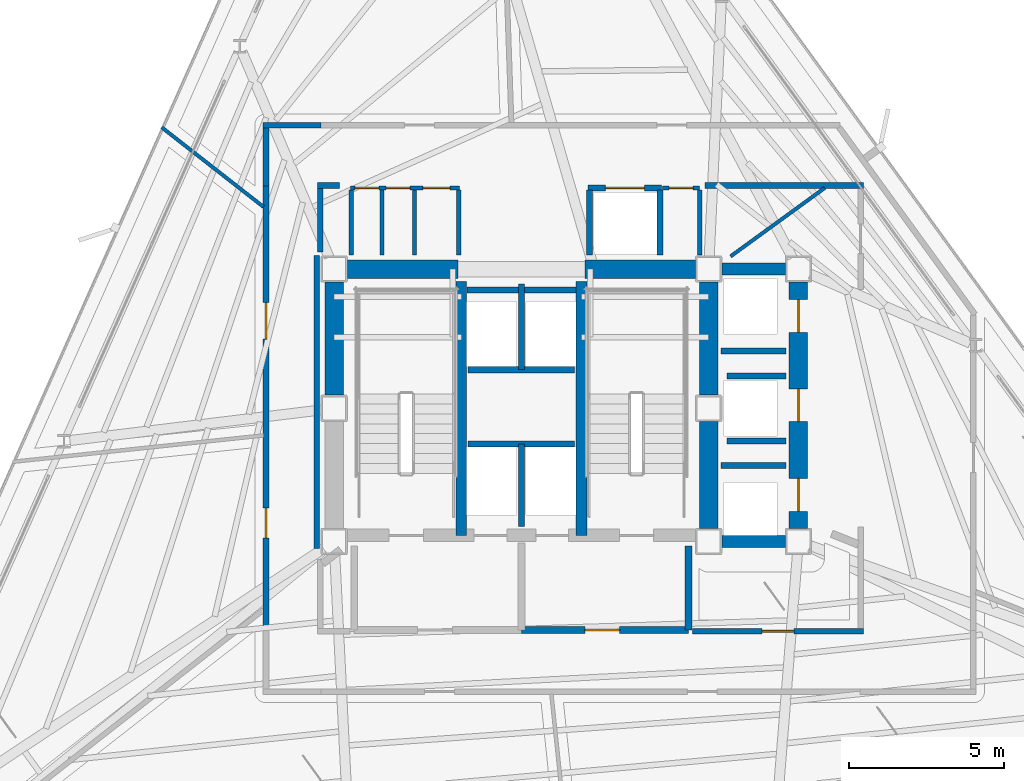
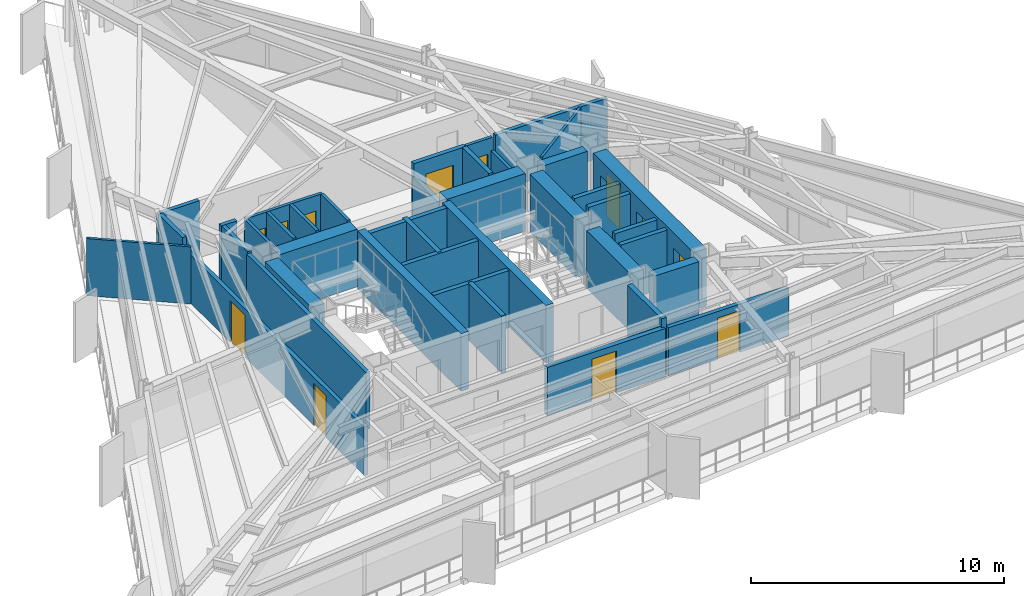
# One storey, part 8 of 12: 41 walls, 12 doors, 12 openings.
"""IFC4 building model written with IfcOpenShell, lengths in metres."""

from ifc_helpers import new_model, si_unit, direction, frame, frame_2d, origin, place, context, subcontext, project, spatial, rectangle, extrude, material, layer, layer_set, type_object, element, fill, save


model = new_model("IFC4")

# Units and contexts
model_context = context("Model", 3, precision=1e-05, world=origin(), true_north=direction((0.0, 1.0)))
body_context = subcontext(model_context, "Body", "Model", "MODEL_VIEW")
ifc_project = project(units=[si_unit("LENGTHUNIT", "METRE"), si_unit("AREAUNIT", "SQUARE_METRE"), si_unit("VOLUMEUNIT", "CUBIC_METRE"), si_unit("PLANEANGLEUNIT", "RADIAN"), si_unit("MASSUNIT", "GRAM", prefix="KILO")], contexts=[model_context])

# Site, building, storey
site_placement = place(None, origin())
site = spatial("IfcSite", under=ifc_project, at=site_placement, CompositionType="ELEMENT")
building_placement = place(site_placement, origin())
building = spatial("IfcBuilding", under=site, at=building_placement, Name="Rocaltana Carrier Exchange", CompositionType="ELEMENT")
storey_placement = place(building_placement, frame((0.0, 0.0, 110.719970703125)))
storey = spatial("IfcBuildingStorey", under=building, at=storey_placement, Name="L34", CompositionType="ELEMENT", Elevation=110.719970703125)

# Walls
ifc_material_1 = material(Name="Concrete C50/60", Category="concrete")
ifc_layer_1 = layer(ifc_material_1, 0.35009765625)
ifc_layer_set_1 = layer_set([ifc_layer_1], Name="Concrete C50/60")
wall_type_1 = type_object("IfcWallType", Name="Core Internal Shear Wall 350", PredefinedType="SHEAR", material=ifc_layer_set_1)
for number, where, z_axis, x_axis, name in (
    (1, (-1.93994140625, -4.10009765625, 0.0), (0.0, 0.0, 1.0), (0.0, 1.0, 0.0), "L34 Core Shear Wall CW-STW"),
    (2, (1.93994140625, -4.10009765625, 0.0), (0.0, 0.0, 1.0), (0.0, 1.0, 0.0), "L34 Core Shear Wall CW-STE"),
):
    element("IfcWall", number, at=place(storey_placement, frame(where, z_axis=z_axis, x_axis=x_axis)), inside=storey, type_object=wall_type_1, Name=name, PredefinedType="SHEAR", context=body_context, shape_type="SweptSolid", body=[
        extrude(rectangle(XDim=8.2001953125, YDim=0.35009765625, at=frame_2d((4.10009765625, 0.0))), origin(), (0.0, 0.0, 1.0), 2.7880859375),
    ])
ifc_material_2 = material(Name="Concrete C50/60", Category="concrete")
ifc_layer_2 = layer(ifc_material_2, 0.39990234375)
ifc_layer_set_2 = layer_set([ifc_layer_2], Name="Concrete C50/60")
wall_type_2 = type_object("IfcWallType", Name="Core Internal Shear Wall 400", PredefinedType="SHEAR", material=ifc_layer_set_2)
for number, where, z_axis, x_axis, name in (
    (3, (6.47509765625, 4.5, 0.0), (0.0, 0.0, 1.0), (1.0, 0.0, 0.0), "L34 Core Shear Wall CW-EWN"),
    (4, (6.47509765625, -4.300048828125, 0.0), (0.0, 0.0, 1.0), (1.0, 0.0, 0.0), "L34 Core Shear Wall CW-EWS"),
):
    element("IfcWall", number, at=place(storey_placement, frame(where, z_axis=z_axis, x_axis=x_axis)), inside=storey, type_object=wall_type_2, Name=name, PredefinedType="SHEAR", context=body_context, shape_type="SweptSolid", body=[
        extrude(rectangle(XDim=2.0498046875, YDim=0.39990234375, at=frame_2d((1.02490234375, 0.0))), origin(), (0.0, 0.0, 1.0), 2.7880859375),
    ])
ifc_material_3 = material(Name="Concrete C50/60", Category="concrete")
ifc_layer_3 = layer(ifc_material_3, 0.60009765625)
ifc_layer_set_3 = layer_set([ifc_layer_3], Name="Concrete C50/60")
wall_type_3 = type_object("IfcWallType", Name="Core Shear Wall 600", PredefinedType="SHEAR", material=ifc_layer_set_3)
for number, where, z_axis, x_axis, name in (
    (5, (-6.050048828125, 0.425048828125, 0.0), (0.0, 0.0, 1.0), (0.0, 1.0, 0.0), "L34 Core Shear Wall CW-WN"),
    (6, (6.050048828125, 0.425048828125, 0.0), (0.0, 0.0, 1.0), (0.0, 1.0, 0.0), "L34 Core Shear Wall CW-EN"),
):
    element("IfcWall", number, at=place(storey_placement, frame(where, z_axis=z_axis, x_axis=x_axis)), inside=storey, type_object=wall_type_3, Name=name, PredefinedType="SHEAR", context=body_context, shape_type="SweptSolid", body=[
        extrude(rectangle(XDim=3.64990234375, YDim=0.60009765625, at=frame_2d((1.824951171875, 0.0))), origin(), (0.0, 0.0, 1.0), 2.7880859375),
    ])
wall_1_placement = place(storey_placement, frame((6.050048828125, -3.875, 0.0), z_axis=(0.0, 0.0, 1.0), x_axis=(0.0, 1.0, 0.0)))
element("IfcWall", 7, at=wall_1_placement, inside=storey, type_object=wall_type_3, Name="L34 Core Shear Wall CW-ES", PredefinedType="SHEAR", context=body_context, shape_type="SweptSolid", body=[
    extrude(rectangle(XDim=3.449951171875, YDim=0.60009765625, at=frame_2d((1.72509765625, 0.0))), origin(), (0.0, 0.0, 1.0), 2.7880859375),
])
for number, where, z_axis, x_axis, name in (
    (8, (-5.625, 4.5, 0.0), (0.0, 0.0, 1.0), (1.0, 0.0, 0.0), "L34 Core Shear Wall CW-N1"),
    (9, (2.050048828125, 4.5, 0.0), (0.0, 0.0, 1.0), (1.0, 0.0, 0.0), "L34 Core Shear Wall CW-N2"),
):
    element("IfcWall", number, at=place(storey_placement, frame(where, z_axis=z_axis, x_axis=x_axis)), inside=storey, type_object=wall_type_3, Name=name, PredefinedType="SHEAR", context=body_context, shape_type="SweptSolid", body=[
        extrude(rectangle(XDim=3.574951171875, YDim=0.60009765625, at=frame_2d((1.78759765625, 0.0))), origin(), (0.0, 0.0, 1.0), 2.7880859375),
    ])

# Wall, openings, doors
wall_2_placement = place(storey_placement, frame((8.949951171875, -3.875, 0.0), z_axis=(0.0, 0.0, 1.0), x_axis=(0.0, 1.0, 0.0)))
wall_2 = element("IfcWall", 10, at=wall_2_placement, inside=storey, type_object=wall_type_3, Name="L34 Core Shear Wall CW-EW", PredefinedType="SHEAR", context=body_context, shape_type="SweptSolid", body=[
    extrude(rectangle(XDim=7.949951171875, YDim=0.60009765625, at=frame_2d((3.97509765625, 0.0))), origin(), (0.0, 0.0, 1.0), 2.7880859375),
])
opening_1_placement = place(wall_2_placement, frame((0.550048828125, 0.0, 0.0)))
opening_1 = element("IfcOpeningElement", 11, at=opening_1_placement, cuts=wall_2, Name="Opening LD-110", PredefinedType="OPENING", context=body_context, shape_type="SweptSolid", body=[
    extrude(rectangle(XDim=1.06005859375, YDim=2.0400390625, at=frame_2d((0.530029296875, 1.02001953125))), frame((0.0, 0.31005859375, 0.0), z_axis=(0.0, -1.0, 0.0), x_axis=(1.0, 0.0, 0.0)), (0.0, 0.0, 1.0), 0.6201171875),
])
opening_2_placement = place(wall_2_placement, frame((3.445068359375, 0.0, 0.0)))
opening_2 = element("IfcOpeningElement", 12, at=opening_2_placement, cuts=wall_2, Name="Opening LD-110", PredefinedType="OPENING", context=body_context, shape_type="SweptSolid", body=[
    extrude(rectangle(XDim=1.06005859375, YDim=2.0400390625, at=frame_2d((0.530029296875, 1.02001953125))), frame((0.0, 0.31005859375, 0.0), z_axis=(0.0, -1.0, 0.0), x_axis=(1.0, 0.0, 0.0)), (0.0, 0.0, 1.0), 0.6201171875),
])
opening_3_placement = place(wall_2_placement, frame((6.330078125, 0.0, 0.0)))
opening_3 = element("IfcOpeningElement", 13, at=opening_3_placement, cuts=wall_2, Name="Opening LD-110", PredefinedType="OPENING", context=body_context, shape_type="SweptSolid", body=[
    extrude(rectangle(XDim=1.06005859375, YDim=2.0400390625, at=frame_2d((0.530029296875, 1.02001953125))), frame((0.0, 0.31005859375, 0.0), z_axis=(0.0, -1.0, 0.0), x_axis=(1.0, 0.0, 0.0)), (0.0, 0.0, 1.0), 0.6201171875),
])
ifc_material_4 = material(Name="Brushed Stainless Sliding Door Leaf", Category="steel")
door_type_1 = type_object("IfcDoorType", Name="Lift Landing Sliding Door 1060x2040", OperationType="NOTDEFINED", PredefinedType="DOOR", material=ifc_material_4)
door_1_placement = place(opening_1_placement, origin())
door_1 = element("IfcDoor", 14, at=door_1_placement, inside=storey, type_object=door_type_1, Name="L34 Mid-Rise Lift PL-M1 Landing Door", OperationType="SLIDING_TO_LEFT", OverallHeight=2.0400390625, OverallWidth=1.06005859375, PredefinedType="DOOR", context=body_context, shape_type="SweptSolid", body=[
    extrude(rectangle(XDim=1.06005859375, YDim=2.0400390625, at=frame_2d((0.530029296875, 1.02001953125))), frame((0.0, 0.02490234375, 0.0), z_axis=(0.0, -1.0, 0.0), x_axis=(1.0, 0.0, 0.0)), (0.0, 0.0, 1.0), 0.050048828125),
])
fill(opening_1, door_1)
door_2_placement = place(opening_2_placement, origin())
door_2 = element("IfcDoor", 15, at=door_2_placement, inside=storey, type_object=door_type_1, Name="L34 Mid-Rise Lift PL-M2 Landing Door", OperationType="SLIDING_TO_RIGHT", OverallHeight=2.0400390625, OverallWidth=1.06005859375, PredefinedType="DOOR", context=body_context, shape_type="SweptSolid", body=[
    extrude(rectangle(XDim=1.06005859375, YDim=2.0400390625, at=frame_2d((0.530029296875, 1.02001953125))), frame((0.0, 0.02490234375, 0.0), z_axis=(0.0, -1.0, 0.0), x_axis=(1.0, 0.0, 0.0)), (0.0, 0.0, 1.0), 0.050048828125),
])
fill(opening_2, door_2)
door_3_placement = place(opening_3_placement, origin())
door_3 = element("IfcDoor", 16, at=door_3_placement, inside=storey, type_object=door_type_1, Name="L34 Mid-Rise Lift PL-M3 Landing Door", OperationType="SLIDING_TO_LEFT", OverallHeight=2.0400390625, OverallWidth=1.06005859375, PredefinedType="DOOR", context=body_context, shape_type="SweptSolid", body=[
    extrude(rectangle(XDim=1.06005859375, YDim=2.0400390625, at=frame_2d((0.530029296875, 1.02001953125))), frame((0.0, 0.02490234375, 0.0), z_axis=(0.0, -1.0, 0.0), x_axis=(1.0, 0.0, 0.0)), (0.0, 0.0, 1.0), 0.050048828125),
])
fill(opening_3, door_3)

ifc_material_5 = material(Name="Gypsum & Steel Stud Partition", Category="steel")
ifc_layer_4 = layer(ifc_material_5, 0.179931640625)
ifc_layer_set_4 = layer_set([ifc_layer_4], Name="Gypsum & Steel Stud Partition")
wall_type_4 = type_object("IfcWallType", Name="Corridor Fire Partition 180 EI60", PredefinedType="PARTITIONING", material=ifc_layer_set_4)
wall_3_placement = place(storey_placement, frame((-8.25, -7.219970703125, 0.0), z_axis=(0.0, 0.0, 1.0), x_axis=(0.0, 1.0, 0.0)))
wall_3 = element("IfcWall", 17, at=wall_3_placement, inside=storey, type_object=wall_type_4, Name="L34 Corridor Partition 3", PredefinedType="PARTITIONING", context=body_context, shape_type="SweptSolid", body=[
    extrude(rectangle(XDim=14.43994140625, YDim=0.179931640625, at=frame_2d((7.219970703125, 0.0))), origin(), (0.0, 0.0, 1.0), 2.330078125),
])
opening_4_placement = place(wall_3_placement, frame((3.0380859375, 0.0, 0.0)))
opening_4 = element("IfcOpeningElement", 18, at=opening_4_placement, cuts=wall_3, Name="Opening D-RM098", PredefinedType="OPENING", context=body_context, shape_type="SweptSolid", body=[
    extrude(rectangle(XDim=0.9599609375, YDim=2.02001953125, at=frame_2d((0.47998046875, 1.010009765625))), frame((0.0, 0.099853515625, 0.0), z_axis=(0.0, -1.0, 0.0), x_axis=(1.0, 0.0, 0.0)), (0.0, 0.0, 1.0), 0.199951171875),
])
opening_5_placement = place(wall_3_placement, frame((9.456298828125, 0.0, 0.0)))
opening_5 = element("IfcOpeningElement", 19, at=opening_5_placement, cuts=wall_3, Name="Opening D-SU120", PredefinedType="OPENING", context=body_context, shape_type="SweptSolid", body=[
    extrude(rectangle(XDim=1.179931640625, YDim=2.02001953125, at=frame_2d((0.58984375, 1.010009765625))), frame((0.0, 0.099853515625, 0.0), z_axis=(0.0, -1.0, 0.0), x_axis=(1.0, 0.0, 0.0)), (0.0, 0.0, 1.0), 0.199951171875),
])
ifc_material_6 = material(Name="Engineered Hardwood Timber", Category="wood")
door_type_2 = type_object("IfcDoorType", Name="Suite Double Entrance Door 1180x2020", OperationType="NOTDEFINED", PredefinedType="DOOR", material=ifc_material_6)
door_4_placement = place(opening_5_placement, origin())
door_4 = element("IfcDoor", 20, at=door_4_placement, inside=storey, type_object=door_type_2, Name="L34 Carrier Peering Suite Entrance Door", OperationType="SINGLE_SWING_RIGHT", OverallHeight=2.02001953125, OverallWidth=1.179931640625, PredefinedType="DOOR", context=body_context, shape_type="SweptSolid", body=[
    extrude(rectangle(XDim=1.179931640625, YDim=2.02001953125, at=frame_2d((0.58984375, 1.010009765625))), frame((0.0, 0.02490234375, 0.0), z_axis=(0.0, -1.0, 0.0), x_axis=(1.0, 0.0, 0.0)), (0.0, 0.0, 1.0), 0.050048828125),
])
fill(opening_5, door_4)
ifc_material_7 = material(Name="Engineered Hardwood Timber", Category="wood")
door_type_3 = type_object("IfcDoorType", Name="Workspace Single Door 960x2020", OperationType="NOTDEFINED", PredefinedType="DOOR", material=ifc_material_7)
door_5_placement = place(opening_4_placement, origin())
door_5 = element("IfcDoor", 21, at=door_5_placement, inside=storey, type_object=door_type_3, Name="L34 Cloud Architecture Office Entrance Door", OperationType="SINGLE_SWING_RIGHT", OverallHeight=2.02001953125, OverallWidth=0.9599609375, PredefinedType="DOOR", context=body_context, shape_type="SweptSolid", body=[
    extrude(rectangle(XDim=0.9599609375, YDim=2.02001953125, at=frame_2d((0.47998046875, 1.010009765625))), frame((0.0, 0.02490234375, 0.0), z_axis=(0.0, -1.0, 0.0), x_axis=(1.0, 0.0, 0.0)), (0.0, 0.0, 1.0), 0.050048828125),
])
fill(opening_4, door_5)

# Walls
wall_4_placement = place(storey_placement, frame((-8.25, 7.179931640625, 0.0), z_axis=(0.0, 0.0, 1.0), x_axis=(0.0, 1.0, 0.0)))
element("IfcWall", 22, at=wall_4_placement, inside=storey, type_object=wall_type_4, Name="L34 Corridor Partition 4", PredefinedType="PARTITIONING", context=body_context, shape_type="SweptSolid", body=[
    extrude(rectangle(XDim=1.880126953125, YDim=0.179931640625, at=frame_2d((0.93994140625, 0.0))), origin(), (0.0, 0.0, 1.0), 2.762939453125),
])
wall_5_placement = place(storey_placement, frame((-8.340087890625, 9.14990234375, 0.0), z_axis=(0.0, 0.0, 1.0), x_axis=(1.0, 0.0, 0.0)))
element("IfcWall", 23, at=wall_5_placement, inside=storey, type_object=wall_type_4, Name="L34 Corridor Partition 5", PredefinedType="PARTITIONING", context=body_context, shape_type="SweptSolid", body=[
    extrude(rectangle(XDim=1.860107421875, YDim=0.179931640625, at=frame_2d((0.93017578125, 0.0))), origin(), (0.0, 0.0, 1.0), 2.762939453125),
])

# Wall, opening, door
wall_6_placement = place(storey_placement, frame((5.530029296875, -7.199951171875, 0.0), z_axis=(0.0, 0.0, 1.0), x_axis=(1.0, 0.0, 0.0)))
wall_6 = element("IfcWall", 24, at=wall_6_placement, inside=storey, type_object=wall_type_4, Name="L34 Corridor Partition 12", PredefinedType="PARTITIONING", context=body_context, shape_type="SweptSolid", body=[
    extrude(rectangle(XDim=5.52001953125, YDim=0.179931640625, at=frame_2d((2.760009765625, 0.0))), origin(), (0.0, 0.0, 1.0), 2.330078125),
])
opening_6_placement = place(wall_6_placement, frame((2.25, 0.0, 0.0)))
opening_6 = element("IfcOpeningElement", 25, at=opening_6_placement, cuts=wall_6, Name="Opening D-LB104", PredefinedType="OPENING", context=body_context, shape_type="SweptSolid", body=[
    extrude(rectangle(XDim=1.02001953125, YDim=2.02001953125, at=frame_2d((0.510009765625, 1.010009765625))), frame((0.0, 0.099853515625, 0.0), z_axis=(0.0, -1.0, 0.0), x_axis=(1.0, 0.0, 0.0)), (0.0, 0.0, 1.0), 0.199951171875),
])
ifc_material_8 = material(Name="Powder-Coated Aluminium 6063-T6", Category="aluminium")
door_type_4 = type_object("IfcDoorType", Name="Laboratory Acoustic Door 1020x2020", OperationType="NOTDEFINED", PredefinedType="DOOR", material=ifc_material_8)
door_6_placement = place(opening_6_placement, origin())
door_6 = element("IfcDoor", 26, at=door_6_placement, inside=storey, type_object=door_type_4, Name="L34 Optical Switching Laboratory Entrance Door", OperationType="SINGLE_SWING_LEFT", OverallHeight=2.02001953125, OverallWidth=1.02001953125, PredefinedType="DOOR", context=body_context, shape_type="SweptSolid", body=[
    extrude(rectangle(XDim=1.02001953125, YDim=2.02001953125, at=frame_2d((0.510009765625, 1.010009765625))), frame((0.0, 0.02490234375, 0.0), z_axis=(0.0, -1.0, 0.0), x_axis=(1.0, 0.0, 0.0)), (0.0, 0.0, 1.0), 0.050048828125),
])
fill(opening_6, door_6)

# Walls
wall_7_placement = place(storey_placement, frame((11.050048828125, 7.199951171875, 0.0), z_axis=(0.0, 0.0, 1.0), x_axis=(-1.0, 0.0, 0.0)))
element("IfcWall", 27, at=wall_7_placement, inside=storey, type_object=wall_type_4, Name="L34 Corridor Partition 15", PredefinedType="PARTITIONING", context=body_context, shape_type="SweptSolid", body=[
    extrude(rectangle(XDim=5.1201171875, YDim=0.179931640625, at=frame_2d((2.56005859375, 0.0))), origin(), (0.0, 0.0, 1.0), 2.762939453125),
])
wall_8_placement = place(storey_placement, frame((-5.8798828125, 7.199951171875, 0.0), z_axis=(0.0, 0.0, 1.0), x_axis=(-1.0, 0.0, 0.0)))
element("IfcWall", 28, at=wall_8_placement, inside=storey, type_object=wall_type_4, Name="L34 Corridor Partition 16", PredefinedType="PARTITIONING", context=body_context, shape_type="SweptSolid", body=[
    extrude(rectangle(XDim=0.710205078125, YDim=0.179931640625, at=frame_2d((0.35498046875, 0.0))), origin(), (0.0, 0.0, 1.0), 2.762939453125),
])
wall_9_placement = place(storey_placement, frame((-6.5, 7.110107421875, 0.0), z_axis=(0.0, 0.0, 1.0), x_axis=(0.0, -1.0, 0.0)))
element("IfcWall", 29, at=wall_9_placement, inside=storey, type_object=wall_type_4, Name="L34 Corridor Partition 17", PredefinedType="PARTITIONING", context=body_context, shape_type="SweptSolid", body=[
    extrude(rectangle(XDim=2.058349609375, YDim=0.179931640625, at=frame_2d((1.029296875, 0.0))), origin(), (0.0, 0.0, 1.0), 2.762939453125),
])
wall_10_placement = place(storey_placement, frame((-6.610107421875, 4.93994140625, 0.0), z_axis=(0.0, 0.0, 1.0), x_axis=(0.0, -1.0, 0.0)))
element("IfcWall", 30, at=wall_10_placement, inside=storey, type_object=wall_type_4, Name="L34 Corridor Partition 18", PredefinedType="PARTITIONING", context=body_context, shape_type="SweptSolid", body=[
    extrude(rectangle(XDim=9.4599609375, YDim=0.179931640625, at=frame_2d((4.72998046875, 0.0))), origin(), (0.0, 0.0, 1.0), 2.762939453125),
])
ifc_material_9 = material(Name="Aluminium 6063-T6 & Acoustic Glass", Category="aluminium")
ifc_layer_5 = layer(ifc_material_9, 0.114990234375)
ifc_layer_set_5 = layer_set([ifc_layer_5], Name="Aluminium 6063-T6 & Acoustic Glass")
wall_type_5 = type_object("IfcWallType", Name="Demountable Glazed Lab Partition 115", PredefinedType="MOVABLE", material=ifc_layer_set_5)
wall_11_placement = place(storey_placement, frame((6.758056640625, 4.909912109375, 0.0), z_axis=(0.0, 0.0, 1.0), x_axis=(0.808985911181, 0.58782803226, 0.0)))
element("IfcWall", 31, at=wall_11_placement, inside=storey, type_object=wall_type_5, Name="L34 Suite Divider Wall D7", PredefinedType="MOVABLE", context=body_context, shape_type="SweptSolid", body=[
    extrude(rectangle(XDim=3.760009765625, YDim=0.114990234375, at=frame_2d((1.8798828125, 0.0))), origin(), (0.0, 0.0, 1.0), 2.762939453125),
])
wall_12_placement = place(storey_placement, frame((-8.330078125, 6.508056640625, 0.0), z_axis=(0.0, 0.0, 1.0), x_axis=(-0.787993347372, 0.615683753641, 0.0)))
element("IfcWall", 32, at=wall_12_placement, inside=storey, type_object=wall_type_5, Name="L34 Suite Divider Wall D10", PredefinedType="MOVABLE", context=body_context, shape_type="SweptSolid", body=[
    extrude(rectangle(XDim=4.175537109375, YDim=0.114990234375, at=frame_2d((2.087890625, 0.0))), origin(), (0.0, 0.0, 1.0), 2.762939453125),
])
ifc_material_10 = material(Name="Autoclaved Aerated Concrete C30/37", Category="concrete")
ifc_layer_6 = layer(ifc_material_10, 0.219970703125)
ifc_layer_set_6 = layer_set([ifc_layer_6], Name="Autoclaved Aerated Concrete C30/37")
wall_type_6 = type_object("IfcWallType", Name="Firefighting Lobby Wall 220 EI120", PredefinedType="PARTITIONING", material=ifc_layer_set_6)
wall_13_placement = place(storey_placement, frame((5.39990234375, -7.159912109375, 0.0), z_axis=(0.0, 0.0, 1.0), x_axis=(0.0, 1.0, 0.0)))
element("IfcWall", 33, at=wall_13_placement, inside=storey, type_object=wall_type_6, Name="L34 FFL Lobby 2 East Wall", PredefinedType="PARTITIONING", context=body_context, shape_type="SweptSolid", body=[
    extrude(rectangle(XDim=2.7099609375, YDim=0.219970703125, at=frame_2d((1.35498046875, 0.0))), origin(), (0.0, 0.0, 1.0), 2.762939453125),
])

# Wall, opening, door
wall_14_placement = place(storey_placement, frame((0.0, -7.159912109375, 0.0), z_axis=(0.0, 0.0, 1.0), x_axis=(1.0, 0.0, 0.0)))
wall_14 = element("IfcWall", 34, at=wall_14_placement, inside=storey, type_object=wall_type_6, Name="L34 FFL Lobby 2 South Wall", PredefinedType="PARTITIONING", context=body_context, shape_type="SweptSolid", body=[
    extrude(rectangle(XDim=5.39990234375, YDim=0.219970703125, at=frame_2d((2.699951171875, 0.0))), origin(), (0.0, 0.0, 1.0), 2.330078125),
])
opening_7_placement = place(wall_14_placement, frame((2.050048828125, 0.0, 0.0)))
opening_7 = element("IfcOpeningElement", 35, at=opening_7_placement, cuts=wall_14, Name="Opening D-FF115", PredefinedType="OPENING", context=body_context, shape_type="SweptSolid", body=[
    extrude(rectangle(XDim=1.1201171875, YDim=2.02001953125, at=frame_2d((0.56005859375, 1.010009765625))), frame((0.0, 0.119873046875, 0.0), z_axis=(0.0, -1.0, 0.0), x_axis=(1.0, 0.0, 0.0)), (0.0, 0.0, 1.0), 0.239990234375),
])
ifc_material_11 = material(Name="Hollow Metal Fire Door Assembly", Category="steel")
door_type_5 = type_object("IfcDoorType", Name="Firefighting Lobby Door 1120x2020 FD60S", OperationType="NOTDEFINED", PredefinedType="DOOR", material=ifc_material_11)
door_7_placement = place(opening_7_placement, origin())
door_7 = element("IfcDoor", 36, at=door_7_placement, inside=storey, type_object=door_type_5, Name="L34 Firefighting Lift Lobby 2 Door", OperationType="SINGLE_SWING_LEFT", OverallHeight=2.02001953125, OverallWidth=1.1201171875, PredefinedType="DOOR", context=body_context, shape_type="SweptSolid", body=[
    extrude(rectangle(XDim=1.1201171875, YDim=2.02001953125, at=frame_2d((0.56005859375, 1.010009765625))), frame((0.0, 0.02490234375, 0.0), z_axis=(0.0, -1.0, 0.0), x_axis=(1.0, 0.0, 0.0)), (0.0, 0.0, 1.0), 0.050048828125),
])
fill(opening_7, door_7)

# Walls
ifc_material_12 = material(Name="Reinforced Concrete Block C35/45", Category="concrete")
ifc_layer_7 = layer(ifc_material_12, 0.199951171875)
ifc_layer_set_7 = layer_set([ifc_layer_7], Name="Reinforced Concrete Block C35/45")
wall_type_7 = type_object("IfcWallType", Name="Lift Hoistway Enclosure Wall 200 EI120", PredefinedType="PARTITIONING", material=ifc_layer_set_7)
wall_15_placement = place(storey_placement, frame((0.0, -3.820068359375, 0.0), z_axis=(0.0, 0.0, 1.0), x_axis=(0.0, 1.0, 0.0)))
element("IfcWall", 37, at=wall_15_placement, inside=storey, type_object=wall_type_7, Name="L34 FFL Shaft Divider", PredefinedType="PARTITIONING", context=body_context, shape_type="SweptSolid", body=[
    extrude(rectangle(XDim=2.670166015625, YDim=0.199951171875, at=frame_2d((1.3349609375, 0.0))), origin(), (0.0, 0.0, 1.0), 2.762939453125),
])
wall_16_placement = place(storey_placement, frame((-1.719970703125, -1.14990234375, 0.0), z_axis=(0.0, 0.0, 1.0), x_axis=(1.0, 0.0, 0.0)))
element("IfcWall", 38, at=wall_16_placement, inside=storey, type_object=wall_type_7, Name="L34 FFL Shaft Back Wall", PredefinedType="PARTITIONING", context=body_context, shape_type="SweptSolid", body=[
    extrude(rectangle(XDim=3.43994140625, YDim=0.199951171875, at=frame_2d((1.719970703125, 0.0))), origin(), (0.0, 0.0, 1.0), 2.762939453125),
])
wall_17_placement = place(storey_placement, frame((0.0, 1.25, 0.0), z_axis=(0.0, 0.0, 1.0), x_axis=(0.0, 1.0, 0.0)))
element("IfcWall", 39, at=wall_17_placement, inside=storey, type_object=wall_type_7, Name="L34 High-Rise Shaft Divider", PredefinedType="PARTITIONING", context=body_context, shape_type="SweptSolid", body=[
    extrude(rectangle(XDim=2.77001953125, YDim=0.199951171875, at=frame_2d((1.385009765625, 0.0))), origin(), (0.0, 0.0, 1.0), 2.762939453125),
])
wall_18_placement = place(storey_placement, frame((-1.719970703125, 1.25, 0.0), z_axis=(0.0, 0.0, 1.0), x_axis=(1.0, 0.0, 0.0)))
element("IfcWall", 40, at=wall_18_placement, inside=storey, type_object=wall_type_7, Name="L34 High-Rise Shaft Back Wall", PredefinedType="PARTITIONING", context=body_context, shape_type="SweptSolid", body=[
    extrude(rectangle(XDim=3.43994140625, YDim=0.199951171875, at=frame_2d((1.719970703125, 0.0))), origin(), (0.0, 0.0, 1.0), 2.762939453125),
])
wall_19_placement = place(storey_placement, frame((-1.760009765625, 3.820068359375, 0.0), z_axis=(0.0, 0.0, 1.0), x_axis=(1.0, 0.0, 0.0)))
element("IfcWall", 41, at=wall_19_placement, inside=storey, type_object=wall_type_7, Name="L34 High-Rise Lift Front Wall", PredefinedType="PARTITIONING", context=body_context, shape_type="SweptSolid", body=[
    extrude(rectangle(XDim=3.52001953125, YDim=0.199951171875, at=frame_2d((1.760009765625, 0.0))), origin(), (0.0, 0.0, 1.0), 2.762939453125),
])
wall_20_placement = place(storey_placement, frame((2.199951171875, 4.949951171875, 0.0), z_axis=(0.0, 0.0, 1.0), x_axis=(0.0, 1.0, 0.0)))
element("IfcWall", 42, at=wall_20_placement, inside=storey, type_object=wall_type_7, Name="L34 Goods Lift West Wall", PredefinedType="PARTITIONING", context=body_context, shape_type="SweptSolid", body=[
    extrude(rectangle(XDim=2.10009765625, YDim=0.199951171875, at=frame_2d((1.050048828125, 0.0))), origin(), (0.0, 0.0, 1.0), 2.132080078125),
])
wall_21_placement = place(storey_placement, frame((4.47998046875, 4.949951171875, 0.0), z_axis=(0.0, 0.0, 1.0), x_axis=(0.0, 1.0, 0.0)))
element("IfcWall", 43, at=wall_21_placement, inside=storey, type_object=wall_type_7, Name="L34 Goods Lift East Wall", PredefinedType="PARTITIONING", context=body_context, shape_type="SweptSolid", body=[
    extrude(rectangle(XDim=2.10009765625, YDim=0.199951171875, at=frame_2d((1.050048828125, 0.0))), origin(), (0.0, 0.0, 1.0), 2.762939453125),
])

# Wall, opening, door
wall_22_placement = place(storey_placement, frame((2.14990234375, 7.1201171875, 0.0), z_axis=(0.0, 0.0, 1.0), x_axis=(1.0, 0.0, 0.0)))
wall_22 = element("IfcWall", 44, at=wall_22_placement, inside=storey, type_object=wall_type_7, Name="L34 Goods Lift Front Wall", PredefinedType="PARTITIONING", context=body_context, shape_type="SweptSolid", body=[
    extrude(rectangle(XDim=2.380126953125, YDim=0.199951171875, at=frame_2d((1.18994140625, 0.0))), origin(), (0.0, 0.0, 1.0), 2.762939453125),
])
opening_8_placement = place(wall_22_placement, frame((0.56005859375, 0.0, 0.0)))
opening_8 = element("IfcOpeningElement", 45, at=opening_8_placement, cuts=wall_22, Name="Opening LD-130", PredefinedType="OPENING", context=body_context, shape_type="SweptSolid", body=[
    extrude(rectangle(XDim=1.260009765625, YDim=2.06005859375, at=frame_2d((0.6298828125, 1.030029296875))), frame((0.0, 0.10986328125, 0.0), z_axis=(0.0, -1.0, 0.0), x_axis=(1.0, 0.0, 0.0)), (0.0, 0.0, 1.0), 0.219970703125),
])
ifc_material_13 = material(Name="Brushed Stainless Sliding Door Leaf", Category="steel")
door_type_6 = type_object("IfcDoorType", Name="Goods Lift Landing Sliding Door 1260x2060", OperationType="NOTDEFINED", PredefinedType="DOOR", material=ifc_material_13)
door_8_placement = place(opening_8_placement, origin())
door_8 = element("IfcDoor", 46, at=door_8_placement, inside=storey, type_object=door_type_6, Name="L34 Goods Lift GL-1 Landing Door", OperationType="SLIDING_TO_LEFT", OverallHeight=2.06005859375, OverallWidth=1.260009765625, PredefinedType="DOOR", context=body_context, shape_type="SweptSolid", body=[
    extrude(rectangle(XDim=1.260009765625, YDim=2.06005859375, at=frame_2d((0.6298828125, 1.030029296875))), frame((0.0, 0.02490234375, 0.0), z_axis=(0.0, -1.0, 0.0), x_axis=(1.0, 0.0, 0.0)), (0.0, 0.0, 1.0), 0.050048828125),
])
fill(opening_8, door_8)

# Walls
for number, where, z_axis, x_axis, name in (
    (47, (6.449951171875, -1.85009765625, 0.0), (0.0, 0.0, 1.0), (1.0, 0.0, 0.0), "L34 Mid-Rise Shaft Divider 1"),
    (48, (6.449951171875, 1.85009765625, 0.0), (0.0, 0.0, 1.0), (1.0, 0.0, 0.0), "L34 Mid-Rise Shaft Divider 2"),
):
    element("IfcWall", number, at=place(storey_placement, frame(where, z_axis=z_axis, x_axis=x_axis)), inside=storey, type_object=wall_type_7, Name=name, PredefinedType="PARTITIONING", context=body_context, shape_type="SweptSolid", body=[
        extrude(rectangle(XDim=2.10009765625, YDim=0.199951171875, at=frame_2d((1.050048828125, 0.0))), origin(), (0.0, 0.0, 1.0), 2.762939453125),
    ])
for number, where, z_axis, x_axis, name in (
    (49, (6.639892578125, -1.050048828125, 0.0), (0.0, 0.0, 1.0), (1.0, 0.0, 0.0), "L34 Mid-Rise Center Shaft Wall South"),
    (50, (6.639892578125, 1.050048828125, 0.0), (0.0, 0.0, 1.0), (1.0, 0.0, 0.0), "L34 Mid-Rise Center Shaft Wall North"),
):
    element("IfcWall", number, at=place(storey_placement, frame(where, z_axis=z_axis, x_axis=x_axis)), inside=storey, type_object=wall_type_7, Name=name, PredefinedType="PARTITIONING", context=body_context, shape_type="SweptSolid", body=[
        extrude(rectangle(XDim=1.91015625, YDim=0.199951171875, at=frame_2d((0.955078125, 0.0))), origin(), (0.0, 0.0, 1.0), 2.762939453125),
    ])
ifc_material_14 = material(Name="Moisture-Resistant Masonry C30/37", Category="masonry")
ifc_layer_8 = layer(ifc_material_14, 0.139892578125)
ifc_layer_set_8 = layer_set([ifc_layer_8], Name="Moisture-Resistant Masonry C30/37")
wall_type_8 = type_object("IfcWallType", Name="Wet-Area Sanitary Partition 140", PredefinedType="PARTITIONING", material=ifc_layer_set_8)
for number, where, z_axis, x_axis, name in (
    (51, (-5.5, 4.949951171875, 0.0), (0.0, 0.0, 1.0), (0.0, 1.0, 0.0), "L34 Sanitary West Wall"),
    (52, (-4.5, 4.949951171875, 0.0), (0.0, 0.0, 1.0), (0.0, 1.0, 0.0), "L34 Sanitary Divider 1"),
    (53, (-3.449951171875, 4.949951171875, 0.0), (0.0, 0.0, 1.0), (0.0, 1.0, 0.0), "L34 Sanitary Divider 2"),
    (54, (-2.02001953125, 4.949951171875, 0.0), (0.0, 0.0, 1.0), (0.0, 1.0, 0.0), "L34 Sanitary East Wall"),
):
    element("IfcWall", number, at=place(storey_placement, frame(where, z_axis=z_axis, x_axis=x_axis)), inside=storey, type_object=wall_type_8, Name=name, PredefinedType="PARTITIONING", context=body_context, shape_type="SweptSolid", body=[
        extrude(rectangle(XDim=2.10009765625, YDim=0.139892578125, at=frame_2d((1.050048828125, 0.0))), origin(), (0.0, 0.0, 1.0), 2.762939453125),
    ])

# Wall, openings, doors
wall_23_placement = place(storey_placement, frame((-5.52001953125, 7.1201171875, 0.0), z_axis=(0.0, 0.0, 1.0), x_axis=(1.0, 0.0, 0.0)))
wall_23 = element("IfcWall", 55, at=wall_23_placement, inside=storey, type_object=wall_type_8, Name="L34 Sanitary North Wall", PredefinedType="PARTITIONING", context=body_context, shape_type="SweptSolid", body=[
    extrude(rectangle(XDim=3.52001953125, YDim=0.139892578125, at=frame_2d((1.760009765625, 0.0))), origin(), (0.0, 0.0, 1.0), 2.762939453125),
])
opening_9_placement = place(wall_23_placement, frame((0.139892578125, 0.0, 0.0)))
opening_9 = element("IfcOpeningElement", 56, at=opening_9_placement, cuts=wall_23, Name="Opening D-RS082", PredefinedType="OPENING", context=body_context, shape_type="SweptSolid", body=[
    extrude(rectangle(XDim=0.780029296875, YDim=2.010009765625, at=frame_2d((0.39013671875, 1.0048828125))), frame((0.0, 0.079833984375, 0.0), z_axis=(0.0, -1.0, 0.0), x_axis=(1.0, 0.0, 0.0)), (0.0, 0.0, 1.0), 0.159912109375),
])
opening_10_placement = place(wall_23_placement, frame((1.14990234375, 0.0, 0.0)))
opening_10 = element("IfcOpeningElement", 57, at=opening_10_placement, cuts=wall_23, Name="Opening D-RS082", PredefinedType="OPENING", context=body_context, shape_type="SweptSolid", body=[
    extrude(rectangle(XDim=0.780029296875, YDim=2.010009765625, at=frame_2d((0.39013671875, 1.0048828125))), frame((0.0, 0.079833984375, 0.0), z_axis=(0.0, -1.0, 0.0), x_axis=(1.0, 0.0, 0.0)), (0.0, 0.0, 1.0), 0.159912109375),
])
opening_11_placement = place(wall_23_placement, frame((2.340087890625, 0.0, 0.0)))
opening_11 = element("IfcOpeningElement", 58, at=opening_11_placement, cuts=wall_23, Name="Opening D-WC090", PredefinedType="OPENING", context=body_context, shape_type="SweptSolid", body=[
    extrude(rectangle(XDim=0.8798828125, YDim=2.02001953125, at=frame_2d((0.43994140625, 1.010009765625))), frame((0.0, 0.079833984375, 0.0), z_axis=(0.0, -1.0, 0.0), x_axis=(1.0, 0.0, 0.0)), (0.0, 0.0, 1.0), 0.159912109375),
])
ifc_material_15 = material(Name="High-Pressure Laminate Timber", Category="wood")
door_type_7 = type_object("IfcDoorType", Name="Restroom & Accessible WC Door 880x2020", OperationType="NOTDEFINED", PredefinedType="DOOR", material=ifc_material_15)
door_9_placement = place(opening_11_placement, origin())
door_9 = element("IfcDoor", 59, at=door_9_placement, inside=storey, type_object=door_type_7, Name="L34 Accessible Toilet Door", OperationType="SINGLE_SWING_RIGHT", OverallHeight=2.02001953125, OverallWidth=0.8798828125, PredefinedType="DOOR", context=body_context, shape_type="SweptSolid", body=[
    extrude(rectangle(XDim=0.8798828125, YDim=2.02001953125, at=frame_2d((0.43994140625, 1.010009765625))), frame((0.0, 0.02490234375, 0.0), z_axis=(0.0, -1.0, 0.0), x_axis=(1.0, 0.0, 0.0)), (0.0, 0.0, 1.0), 0.050048828125),
])
fill(opening_11, door_9)
ifc_material_16 = material(Name="Hollow Metal Access Door Leaf", Category="steel")
door_type_8 = type_object("IfcDoorType", Name="Riser & Service Closet Door 780x2010", OperationType="NOTDEFINED", PredefinedType="DOOR", material=ifc_material_16)
door_10_placement = place(opening_9_placement, origin())
door_10 = element("IfcDoor", 60, at=door_10_placement, inside=storey, type_object=door_type_8, Name="L34 Cleaner Store Door", OperationType="SINGLE_SWING_RIGHT", OverallHeight=2.010009765625, OverallWidth=0.780029296875, PredefinedType="DOOR", context=body_context, shape_type="SweptSolid", body=[
    extrude(rectangle(XDim=0.780029296875, YDim=2.010009765625, at=frame_2d((0.39013671875, 1.0048828125))), frame((0.0, 0.02490234375, 0.0), z_axis=(0.0, -1.0, 0.0), x_axis=(1.0, 0.0, 0.0)), (0.0, 0.0, 1.0), 0.050048828125),
])
fill(opening_9, door_10)
door_11_placement = place(opening_10_placement, origin())
door_11 = element("IfcDoor", 61, at=door_11_placement, inside=storey, type_object=door_type_8, Name="L34 Staff Restroom Door", OperationType="SINGLE_SWING_LEFT", OverallHeight=2.010009765625, OverallWidth=0.780029296875, PredefinedType="DOOR", context=body_context, shape_type="SweptSolid", body=[
    extrude(rectangle(XDim=0.780029296875, YDim=2.010009765625, at=frame_2d((0.39013671875, 1.0048828125))), frame((0.0, 0.02490234375, 0.0), z_axis=(0.0, -1.0, 0.0), x_axis=(1.0, 0.0, 0.0)), (0.0, 0.0, 1.0), 0.050048828125),
])
fill(opening_10, door_11)

# Wall
wall_24_placement = place(storey_placement, frame((5.760009765625, 4.949951171875, 0.0), z_axis=(0.0, 0.0, 1.0), x_axis=(0.0, 1.0, 0.0)))
element("IfcWall", 62, at=wall_24_placement, inside=storey, type_object=wall_type_8, Name="L34 Riser East Wall", PredefinedType="PARTITIONING", context=body_context, shape_type="SweptSolid", body=[
    extrude(rectangle(XDim=2.10009765625, YDim=0.139892578125, at=frame_2d((1.050048828125, 0.0))), origin(), (0.0, 0.0, 1.0), 2.132080078125),
])

# Wall, opening, door
wall_25_placement = place(storey_placement, frame((4.56005859375, 7.1201171875, 0.0), z_axis=(0.0, 0.0, 1.0), x_axis=(1.0, 0.0, 0.0)))
wall_25 = element("IfcWall", 63, at=wall_25_placement, inside=storey, type_object=wall_type_8, Name="L34 Riser North Wall", PredefinedType="PARTITIONING", context=body_context, shape_type="SweptSolid", body=[
    extrude(rectangle(XDim=1.199951171875, YDim=0.139892578125, at=frame_2d((0.60009765625, 0.0))), origin(), (0.0, 0.0, 1.0), 2.762939453125),
])
opening_12_placement = place(wall_25_placement, frame((0.2099609375, 0.0, 0.0)))
opening_12 = element("IfcOpeningElement", 64, at=opening_12_placement, cuts=wall_25, Name="Opening D-RS082", PredefinedType="OPENING", context=body_context, shape_type="SweptSolid", body=[
    extrude(rectangle(XDim=0.780029296875, YDim=2.010009765625, at=frame_2d((0.39013671875, 1.0048828125))), frame((0.0, 0.079833984375, 0.0), z_axis=(0.0, -1.0, 0.0), x_axis=(1.0, 0.0, 0.0)), (0.0, 0.0, 1.0), 0.159912109375),
])
door_12_placement = place(opening_12_placement, origin())
door_12 = element("IfcDoor", 65, at=door_12_placement, inside=storey, type_object=door_type_8, Name="L34 Signal Riser Closet Door", OperationType="SINGLE_SWING_LEFT", OverallHeight=2.010009765625, OverallWidth=0.780029296875, PredefinedType="DOOR", context=body_context, shape_type="SweptSolid", body=[
    extrude(rectangle(XDim=0.780029296875, YDim=2.010009765625, at=frame_2d((0.39013671875, 1.0048828125))), frame((0.0, 0.02490234375, 0.0), z_axis=(0.0, -1.0, 0.0), x_axis=(1.0, 0.0, 0.0)), (0.0, 0.0, 1.0), 0.050048828125),
])
fill(opening_12, door_12)

save(model, "model.ifc")
